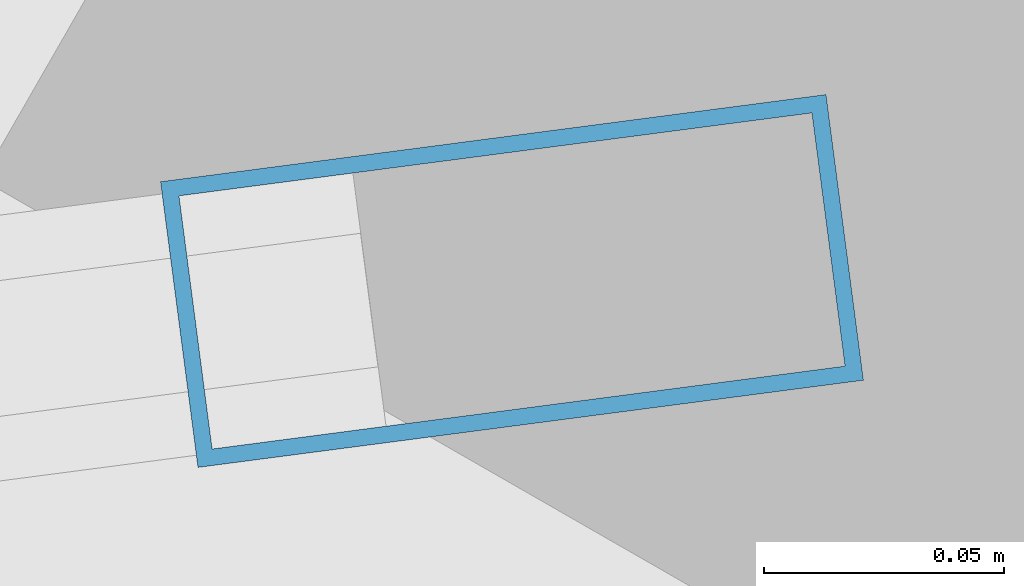
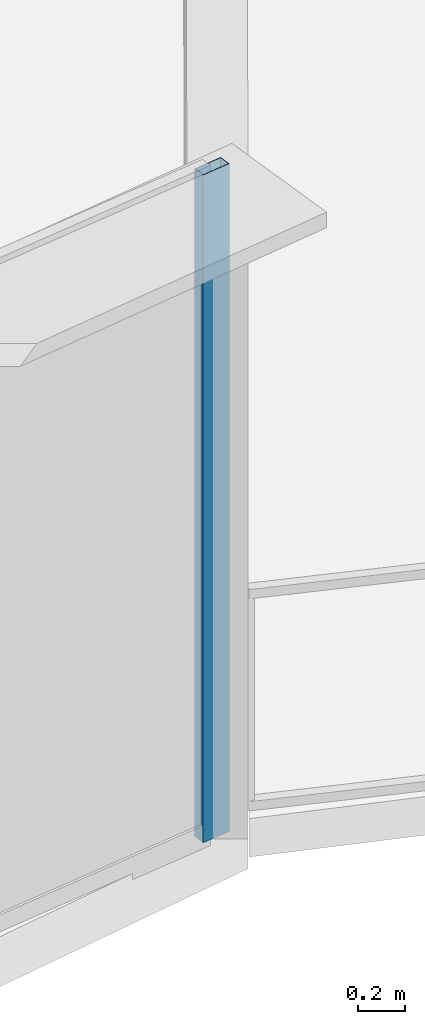
# One storey, part 13 of 35: 1 member, 1 element without a shape of its own.
"""IFC4 building model written with IfcOpenShell, lengths in metres."""

from ifc_helpers import new_model, si_unit, direction, frame, origin, origin_2d, place, context, subcontext, project, spatial, hollow_rectangle, extrude, source, transform, mapped, material, layer, layer_set, material_profile, profile_set, type_object, element, aggregate, save


model = new_model("IFC4")

# Units and contexts
model_context = context("Model", 3, precision=1e-05, world=origin(), true_north=direction((0.0, 1.0)))
body_context = subcontext(model_context, "Body", "Model", "MODEL_VIEW")
ifc_project = project(units=[si_unit("LENGTHUNIT", "METRE"), si_unit("AREAUNIT", "SQUARE_METRE"), si_unit("VOLUMEUNIT", "CUBIC_METRE"), si_unit("PLANEANGLEUNIT", "RADIAN"), si_unit("MASSUNIT", "GRAM", prefix="KILO"), si_unit("THERMODYNAMICTEMPERATUREUNIT", "KELVIN"), si_unit("POWERUNIT", "WATT")], contexts=[model_context])

# Site, building, storey
site_placement = place(None, origin())
site = spatial("IfcSite", under=ifc_project, at=site_placement, CompositionType="ELEMENT")
building_placement = place(site_placement, origin())
building = spatial("IfcBuilding", under=site, at=building_placement, Name="Yunzhuo Pagoda Commons", CompositionType="ELEMENT")
storey_placement = place(building_placement, frame((0.0, 0.0, 303.669921875)))
storey = spatial("IfcBuildingStorey", under=building, at=storey_placement, Name="L76", CompositionType="ELEMENT", Elevation=303.669921875)

# Curtain wall, member
ifc_material = material(Name="Anodized aluminium 6063-T6", Category="aluminium")
ifc_layer = layer(ifc_material, 0.139892578125)
ifc_layer_set = layer_set([ifc_layer], Name="Anodized aluminium 6063-T6")
curtain_wall_type = type_object("IfcCurtainWallType", Name="CW-HI High-Zone Ribbon Curtain Wall", PredefinedType="NOTDEFINED", material=ifc_layer_set)
curtain_wall_placement = place(storey_placement, origin())
curtain_wall = element("IfcCurtainWall", 1, at=curtain_wall_placement, inside=storey, type_object=curtain_wall_type, Name="L76 curtain wall CW-L76-F1B5", PredefinedType="NOTDEFINED")
ifc_material_profile = material_profile(ifc_material, hollow_rectangle(XDim=0.06005859375, YDim=0.139892578125, WallThickness=0.00341796875, at=origin_2d()), Name="Anodized aluminium 6063-T6")
ifc_profile_set = profile_set([ifc_material_profile], Name="Anodized aluminium 6063-T6")
member_type = type_object("IfcMemberType", Name="CW-HI-M Mullion RHS 140x60x3.5", PredefinedType="MULLION", material=ifc_profile_set)
shared_shape = source(origin(), body_context, "Body", "SweptSolid", [
    extrude(hollow_rectangle(XDim=0.06005859375, YDim=0.139892578125, WallThickness=0.00341796875, at=origin_2d()), origin(), (0.0, 0.0, 1.0), 3.469970703125),
])
member_placement = place(storey_placement, frame((75.337158203125, 22.013916015625, 0.0), z_axis=(0.0, 0.0, 1.0), x_axis=(-0.129855071238, 0.991532985066, 0.0)))
member = element("IfcMember", 2, at=member_placement, type_object=member_type, Name="CW mullion 2", PredefinedType="MULLION", context=body_context, shape_type="MappedRepresentation", body=[
    mapped(shared_shape, transform((0.0, 0.0, 0.0), scale=1.0)),
])
aggregate(curtain_wall, [member])

save(model, "model.ifc")
